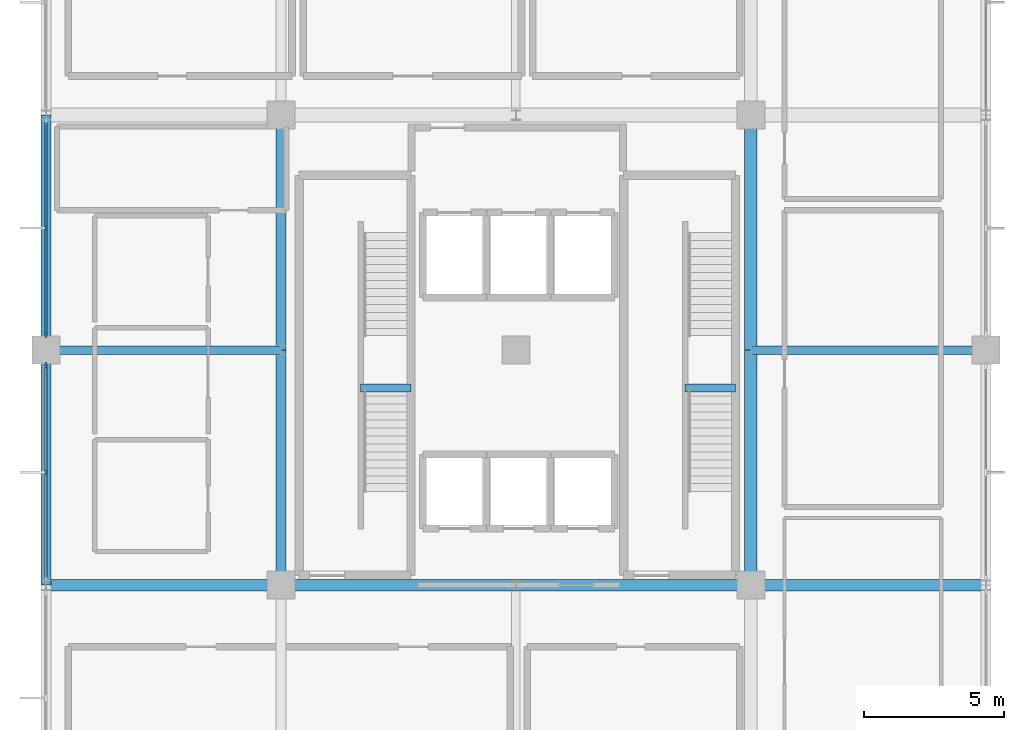
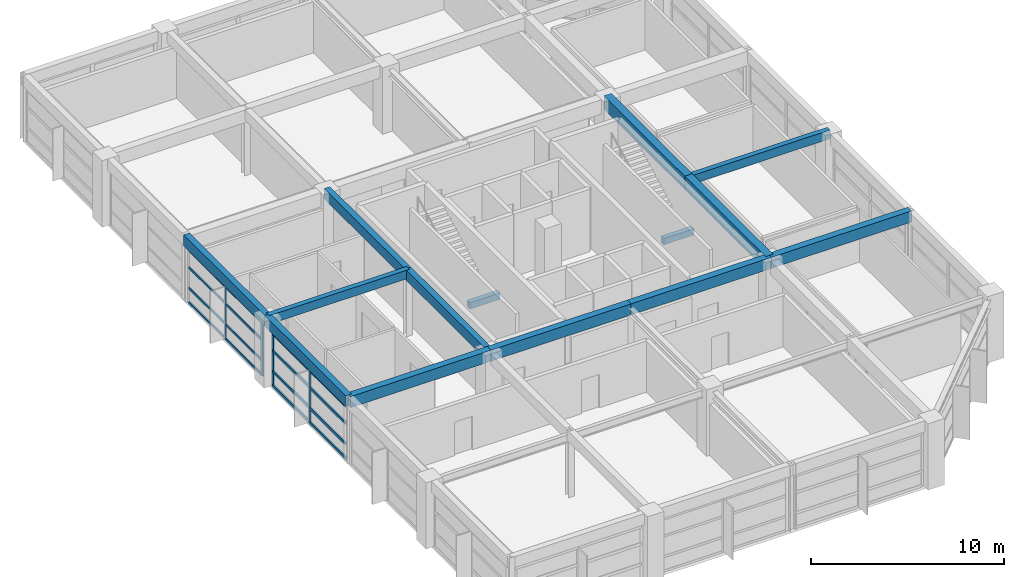
# One storey, part 5 of 16: 20 members, 14 beams, 2 elements without a shape of their own.
"""IFC4 building model written with IfcOpenShell, lengths in metres."""

import ifcopenshell
import ifcopenshell.guid

model = None  # the IFC model being written
_history = None  # IfcOwnerHistory: only IFC2X3 demands one
_inside = {}  # id of a spatial element -> (the spatial element, [elements in it])
_under = {}  # id of a project, library or spatial element -> (it, [spatial elements below it])
_declared = {}  # id of a project -> (the project, [libraries it declares])
_typed = {}  # id of a type object -> (the type object, [elements of that type])
_made_of = {}  # id of a material, layer set ... -> (it, [elements and type objects made of it])


def new_model(schema):
    """Start an empty IFC model of exactly this schema.

    Asked for "IFC4X3", IfcOpenShell would pick the latest addendum, in which some entities
    have other attributes; the version numbers below select the first issue.
    IFC2X3 requires an IfcOwnerHistory on every rooted entity: one is made here for all.
    """
    global model, _history
    if schema == "IFC4X3":
        model = ifcopenshell.file(schema_version=(4, 3, 0, 0))
    else:
        model = ifcopenshell.file(schema=schema)
    _inside.clear()
    _under.clear()
    _declared.clear()
    _typed.clear()
    _made_of.clear()
    _history = None
    if model.schema == "IFC2X3":
        org = make("IfcOrganization", Name="unknown")
        user = make(
            "IfcPersonAndOrganization",
            ThePerson=make("IfcPerson", FamilyName="unknown"),
            TheOrganization=org,
        )
        app = make(
            "IfcApplication",
            ApplicationDeveloper=org,
            Version="unknown",
            ApplicationFullName="unknown",
            ApplicationIdentifier="unknown",
        )
        _history = make(
            "IfcOwnerHistory",
            OwningUser=user,
            OwningApplication=app,
            ChangeAction="ADDED",
            CreationDate=0,
        )
    return model


def make(cls, **values):
    """One entity of the class cls with the attributes given. An attribute that is None is left unset."""
    return model.create_entity(
        cls, **{name: value for name, value in values.items() if value is not None}
    )


def rooted(cls, **values):
    """An entity with a GlobalId (a new one), such as an element, a storey or a relation."""
    return make(cls, GlobalId=ifcopenshell.guid.new(), OwnerHistory=_history, **values)


def si_unit(unit_type, name, prefix=None):
    """IfcSIUnit, for example si_unit("LENGTHUNIT", "METRE", prefix="MILLI")."""
    return make("IfcSIUnit", UnitType=unit_type, Prefix=prefix, Name=name)


def assignment(units):
    """IfcUnitAssignment: the units of a project."""
    return None if units is None else make("IfcUnitAssignment", Units=units)


def point(xyz):
    """IfcCartesianPoint."""
    return None if xyz is None else make("IfcCartesianPoint", Coordinates=xyz)


def direction(xyz):
    """IfcDirection."""
    return None if xyz is None else make("IfcDirection", DirectionRatios=xyz)


def frame(location, z_axis=None, x_axis=None):
    """IfcAxis2Placement3D, a coordinate frame: its origin and axes. An axis left out is left unset."""
    return make(
        "IfcAxis2Placement3D",
        Location=point(location),
        Axis=direction(z_axis),
        RefDirection=direction(x_axis),
    )


def frame_2d(location, x_axis=None):
    """IfcAxis2Placement2D, a coordinate frame in the plane: its origin and x axis."""
    return make(
        "IfcAxis2Placement2D", Location=point(location), RefDirection=direction(x_axis)
    )


def origin():
    """The frame at (0, 0, 0) with its axes left unset."""
    return frame((0.0, 0.0, 0.0))


def origin_2d():
    """The frame at (0, 0) in the plane with its x axis left unset."""
    return frame_2d((0.0, 0.0))


def place(relative_to, where):
    """IfcLocalPlacement: puts the frame where relative to a parent placement (None: the world)."""
    return make(
        "IfcLocalPlacement", PlacementRelTo=relative_to, RelativePlacement=where
    )


def context(
    kind, dimensions, precision=None, world=None, true_north=None, identifier=None
):
    """IfcGeometricRepresentationContext, for example the 3D "Model" context."""
    return make(
        "IfcGeometricRepresentationContext",
        ContextIdentifier=identifier,
        ContextType=kind,
        CoordinateSpaceDimension=dimensions,
        Precision=precision,
        WorldCoordinateSystem=world,
        TrueNorth=true_north,
    )


def subcontext(parent, identifier, kind, view, scale=None):
    """IfcGeometricRepresentationSubContext, for example "Body" below "Model"."""
    return make(
        "IfcGeometricRepresentationSubContext",
        ContextIdentifier=identifier,
        ContextType=kind,
        ParentContext=parent,
        TargetScale=scale,
        TargetView=view,
    )


def project(units=None, contexts=None):
    """IfcProject with its units and contexts."""
    return rooted(
        "IfcProject",
        Name="project",
        RepresentationContexts=contexts,
        UnitsInContext=assignment(units),
    )


def spatial(cls, under=None, at=None, **own):
    """A site, building, storey or space (cls), placed at a placement, below another one or the project."""
    s = rooted(cls, ObjectPlacement=at, **own)
    if under is not None:
        _under.setdefault(under.id(), (under, []))[1].append(s)
    return s


def profile(cls, at=None, kind="AREA", **sizes):
    """A parametric profile (cls). Its sizes go by their IFC names, for example OverallWidth=200.0."""
    return make(cls, ProfileType=kind, Position=at, **sizes)


def rectangle(**sizes):
    """IfcRectangleProfileDef."""
    return profile("IfcRectangleProfileDef", **sizes)


def extrude(swept, where, along, depth):
    """IfcExtrudedAreaSolid: the profile swept, set in the frame where, extruded along a direction by depth."""
    return make(
        "IfcExtrudedAreaSolid",
        SweptArea=swept,
        Position=where,
        ExtrudedDirection=direction(along),
        Depth=depth,
    )


def shape(context_of_items, identifier, shape_type, items):
    """IfcShapeRepresentation: the items that make up one representation, for example the "Body"."""
    return make(
        "IfcShapeRepresentation",
        ContextOfItems=context_of_items,
        RepresentationIdentifier=identifier,
        RepresentationType=shape_type,
        Items=items,
    )


def material(Name=None, Category=None):
    """IfcMaterial."""
    return make("IfcMaterial", Name=Name, Category=Category)


def material_profile(
    of_material, cross_section, Name=None, Category=None, Priority=None
):
    """IfcMaterialProfile: a cross section and its material."""
    return make(
        "IfcMaterialProfile",
        Name=Name,
        Material=of_material,
        Profile=cross_section,
        Priority=Priority,
        Category=Category,
    )


def profile_set(profiles, Name=None, composite=None):
    """IfcMaterialProfileSet."""
    return make(
        "IfcMaterialProfileSet",
        Name=Name,
        MaterialProfiles=profiles,
        CompositeProfile=composite,
    )


def made_of(thing, what):
    """Note that an element or type object is made of a material, layer set ...; save() writes the relation."""
    if what is not None:
        _made_of.setdefault(what.id(), (what, []))[1].append(thing)
    return thing


def type_object(cls, material=None, **own):
    """A type object (cls), such as IfcWallType, which elements share."""
    return made_of(rooted(cls, **own), material)


def element(
    cls,
    number,
    at=None,
    inside=None,
    cuts=None,
    type_object=None,
    material=None,
    context=None,
    identifier="Body",
    shape_type=None,
    held_by="IfcProductDefinitionShape",
    body=None,
    shapes=None,
    **own,
):
    """One element of the class cls, such as IfcWall. Its Tag is "e" and its number.

    at: its placement. inside: the storey or other place that contains it. cuts: it is an
    opening in that element (IfcRelVoidsElement). A single representation is given by context,
    identifier, shape_type and body (its items); several are given by shapes. held_by: the class
    of the entity that holds the representations. save() writes the other relations.
    """
    e = rooted(cls, Tag="e%d" % number, ObjectPlacement=at, **own)
    if body is not None:
        shapes = [shape(context, identifier, shape_type, body)]
    if shapes is not None:
        e.Representation = make(held_by, Representations=shapes)
    if inside is not None:
        _inside.setdefault(inside.id(), (inside, []))[1].append(e)
    if cuts is not None:
        rooted(
            "IfcRelVoidsElement", RelatingBuildingElement=cuts, RelatedOpeningElement=e
        )
    if type_object is not None:
        _typed.setdefault(type_object.id(), (type_object, []))[1].append(e)
    return made_of(e, material)


def aggregate(whole, parts):
    """IfcRelAggregates: a whole, such as a stair, and the parts it consists of."""
    return rooted("IfcRelAggregates", RelatingObject=whole, RelatedObjects=parts)


def save(model, path):
    """Write the relations noted so far, then the file.

    IfcRelAggregates (storeys below a building ...), IfcRelContainedInSpatialStructure (elements
    in a storey), IfcRelDefinesByType, IfcRelAssociatesMaterial and IfcRelDeclares: one each for
    every whole, place, type object, material and project.
    """
    for whole, parts in _under.values():
        aggregate(whole, parts)
    for where, things in _inside.values():
        rooted(
            "IfcRelContainedInSpatialStructure",
            RelatedElements=things,
            RelatingStructure=where,
        )
    for kind, things in _typed.values():
        rooted("IfcRelDefinesByType", RelatedObjects=things, RelatingType=kind)
    for what, things in _made_of.values():
        rooted("IfcRelAssociatesMaterial", RelatedObjects=things, RelatingMaterial=what)
    for by, libraries in _declared.values():
        rooted("IfcRelDeclares", RelatingContext=by, RelatedDefinitions=libraries)
    model.write(path)


model = new_model("IFC4")

# Units and contexts
model_context = context("Model", 3, precision=1e-05, world=origin(), true_north=direction((0.0, 1.0)))
body_context = subcontext(model_context, "Body", "Model", "MODEL_VIEW")
ifc_project = project(units=[si_unit("LENGTHUNIT", "METRE"), si_unit("AREAUNIT", "SQUARE_METRE"), si_unit("VOLUMEUNIT", "CUBIC_METRE"), si_unit("PLANEANGLEUNIT", "RADIAN"), si_unit("MASSUNIT", "GRAM", prefix="KILO")], contexts=[model_context])

# Site, building, storey
site_placement = place(None, origin())
site = spatial("IfcSite", under=ifc_project, at=site_placement, CompositionType="ELEMENT")
building_placement = place(site_placement, origin())
building = spatial("IfcBuilding", under=site, at=building_placement, Name="Xuanlan Plaza Opera House", CompositionType="ELEMENT")
storey_placement = place(building_placement, frame((0.0, 0.0, 48.89990234375)))
storey = spatial("IfcBuildingStorey", under=building, at=storey_placement, Name="L11", CompositionType="ELEMENT", Elevation=48.89990234375)

# Curtain wall, members
ifc_material_1 = material(Name="Anodised Aluminium 6063-T6 and Low-E Glass", Category="aluminium")
curtain_wall_type_1 = type_object("IfcCurtainWallType", Name="ENV-CW-CW-04", PredefinedType="USERDEFINED", material=ifc_material_1)
curtain_wall_1_placement = place(storey_placement, origin())
curtain_wall_1 = element("IfcCurtainWall", 1, at=curtain_wall_1_placement, inside=storey, type_object=curtain_wall_type_1, Name="Unitised Curtain Wall L11-015", ObjectType="UNITISED CURTAIN WALL", PredefinedType="USERDEFINED")
ifc_material_2 = material(Name="Anodised Aluminium 6063-T6", Category="aluminium")
ifc_material_profile_1 = material_profile(ifc_material_2, rectangle(XDim=0.074951171875, YDim=0.199951171875, at=origin_2d()), Name="ALU-M 75x200")
ifc_profile_set_1 = profile_set([ifc_material_profile_1], Name="Anodised Aluminium 6063-T6")
member_type_1 = type_object("IfcMemberType", Name="ENV-CWM-03", PredefinedType="MULLION", material=ifc_profile_set_1)
member_1_placement = place(storey_placement, frame((126.0, 63.16259765625, 0.0), z_axis=(0.0, 0.0, 1.0), x_axis=(1.0, 0.0, 0.0)))
member_1 = element("IfcMember", 2, at=member_1_placement, type_object=member_type_1, Name="CW-04 mullion 2", PredefinedType="MULLION", context=body_context, shape_type="SweptSolid", body=[
    extrude(rectangle(XDim=0.074951171875, YDim=0.199951171875, at=origin_2d()), origin(), (0.0, 0.0, 1.0), 3.380126953125),
])
member_2_placement = place(storey_placement, frame((126.0, 59.357421875, 0.0), z_axis=(0.0, 0.0, 1.0), x_axis=(1.0, 0.0, 0.0)))
member_2 = element("IfcMember", 3, at=member_2_placement, type_object=member_type_1, Name="CW-04 mullion 3", PredefinedType="MULLION", context=body_context, shape_type="SweptSolid", body=[
    extrude(rectangle(XDim=0.074951171875, YDim=0.199951171875, at=origin_2d()), origin(), (0.0, 0.0, 1.0), 3.380126953125),
])

curtain_wall_type_2 = type_object("IfcCurtainWallType", Name="ENV-CW-CW-01", PredefinedType="USERDEFINED", material=ifc_material_1)
curtain_wall_2_placement = place(storey_placement, origin())
curtain_wall_2 = element("IfcCurtainWall", 4, at=curtain_wall_2_placement, inside=storey, type_object=curtain_wall_type_2, Name="Unitised Curtain Wall L11-016", ObjectType="UNITISED CURTAIN WALL", PredefinedType="USERDEFINED")
ifc_material_profile_2 = material_profile(ifc_material_2, rectangle(XDim=0.080078125, YDim=0.219970703125, at=origin_2d()), Name="ALU-M 80x220")
ifc_profile_set_2 = profile_set([ifc_material_profile_2], Name="Anodised Aluminium 6063-T6")
member_type_2 = type_object("IfcMemberType", Name="ENV-CWM-04", PredefinedType="MULLION", material=ifc_profile_set_2)
member_3_placement = place(storey_placement, frame((126.0, 58.239990234375, 0.0), z_axis=(0.0, 0.0, 1.0), x_axis=(1.0, 0.0, 0.0)))
member_3 = element("IfcMember", 5, at=member_3_placement, type_object=member_type_2, Name="CW-01 mullion 1", PredefinedType="MULLION", context=body_context, shape_type="SweptSolid", body=[
    extrude(rectangle(XDim=0.080078125, YDim=0.219970703125, at=origin_2d()), origin(), (0.0, 0.0, 1.0), 3.380126953125),
])
member_4_placement = place(storey_placement, frame((126.0, 54.4375, 0.0), z_axis=(0.0, 0.0, 1.0), x_axis=(1.0, 0.0, 0.0)))
member_4 = element("IfcMember", 6, at=member_4_placement, type_object=member_type_2, Name="CW-01 mullion 2", PredefinedType="MULLION", context=body_context, shape_type="SweptSolid", body=[
    extrude(rectangle(XDim=0.080078125, YDim=0.219970703125, at=origin_2d()), origin(), (0.0, 0.0, 1.0), 3.380126953125),
])

# Member
ifc_material_profile_3 = material_profile(ifc_material_2, rectangle(XDim=0.074951171875, YDim=0.14990234375, at=origin_2d()), Name="ALU-T 75x150")
ifc_profile_set_3 = profile_set([ifc_material_profile_3], Name="Anodised Aluminium 6063-T6")
member_type_3 = type_object("IfcMemberType", Name="ENV-CWT-03", PredefinedType="USERDEFINED", material=ifc_profile_set_3)
member_5_placement = place(storey_placement, frame((126.0, 66.929931640625, 0.03759765625), z_axis=(0.0, -1.0, 0.0), x_axis=(1.0, 0.0, 0.0)))
member_5 = element("IfcMember", 7, at=member_5_placement, type_object=member_type_3, Name="CW-04 transom 1.1", ObjectType="TRANSOM", PredefinedType="USERDEFINED", context=body_context, shape_type="SweptSolid", body=[
    extrude(rectangle(XDim=0.074951171875, YDim=0.14990234375, at=origin_2d()), origin(), (0.0, 0.0, 1.0), 3.72998046875),
])

member_6_placement = place(storey_placement, frame((126.0, 66.929931640625, 0.9501953125), z_axis=(0.0, -1.0, 0.0), x_axis=(1.0, 0.0, 0.0)))
member_6 = element("IfcMember", 8, at=member_6_placement, type_object=member_type_3, Name="CW-04 transom 1.2", ObjectType="TRANSOM", PredefinedType="USERDEFINED", context=body_context, shape_type="SweptSolid", body=[
    extrude(rectangle(XDim=0.074951171875, YDim=0.14990234375, at=origin_2d()), origin(), (0.0, 0.0, 1.0), 3.72998046875),
])

member_7_placement = place(storey_placement, frame((126.0, 66.929931640625, 2.25), z_axis=(0.0, -1.0, 0.0), x_axis=(1.0, 0.0, 0.0)))
member_7 = element("IfcMember", 9, at=member_7_placement, type_object=member_type_3, Name="CW-04 transom 1.3", ObjectType="TRANSOM", PredefinedType="USERDEFINED", context=body_context, shape_type="SweptSolid", body=[
    extrude(rectangle(XDim=0.074951171875, YDim=0.14990234375, at=origin_2d()), origin(), (0.0, 0.0, 1.0), 3.72998046875),
])

member_8_placement = place(storey_placement, frame((126.0, 66.929931640625, 3.342529296875), z_axis=(0.0, -1.0, 0.0), x_axis=(1.0, 0.0, 0.0)))
member_8 = element("IfcMember", 10, at=member_8_placement, type_object=member_type_3, Name="CW-04 transom 1.4", ObjectType="TRANSOM", PredefinedType="USERDEFINED", context=body_context, shape_type="SweptSolid", body=[
    extrude(rectangle(XDim=0.074951171875, YDim=0.14990234375, at=origin_2d()), origin(), (0.0, 0.0, 1.0), 3.72998046875),
])

member_9_placement = place(storey_placement, frame((126.0, 63.125, 0.03759765625), z_axis=(0.0, -1.0, 0.0), x_axis=(1.0, 0.0, 0.0)))
member_9 = element("IfcMember", 11, at=member_9_placement, type_object=member_type_3, Name="CW-04 transom 2.1", ObjectType="TRANSOM", PredefinedType="USERDEFINED", context=body_context, shape_type="SweptSolid", body=[
    extrude(rectangle(XDim=0.074951171875, YDim=0.14990234375, at=origin_2d()), origin(), (0.0, 0.0, 1.0), 3.72998046875),
])

member_10_placement = place(storey_placement, frame((126.0, 63.125, 0.9501953125), z_axis=(0.0, -1.0, 0.0), x_axis=(1.0, 0.0, 0.0)))
member_10 = element("IfcMember", 12, at=member_10_placement, type_object=member_type_3, Name="CW-04 transom 2.2", ObjectType="TRANSOM", PredefinedType="USERDEFINED", context=body_context, shape_type="SweptSolid", body=[
    extrude(rectangle(XDim=0.074951171875, YDim=0.14990234375, at=origin_2d()), origin(), (0.0, 0.0, 1.0), 3.72998046875),
])

member_11_placement = place(storey_placement, frame((126.0, 63.125, 2.25), z_axis=(0.0, -1.0, 0.0), x_axis=(1.0, 0.0, 0.0)))
member_11 = element("IfcMember", 13, at=member_11_placement, type_object=member_type_3, Name="CW-04 transom 2.3", ObjectType="TRANSOM", PredefinedType="USERDEFINED", context=body_context, shape_type="SweptSolid", body=[
    extrude(rectangle(XDim=0.074951171875, YDim=0.14990234375, at=origin_2d()), origin(), (0.0, 0.0, 1.0), 3.72998046875),
])

member_12_placement = place(storey_placement, frame((126.0, 63.125, 3.342529296875), z_axis=(0.0, -1.0, 0.0), x_axis=(1.0, 0.0, 0.0)))
member_12 = element("IfcMember", 14, at=member_12_placement, type_object=member_type_3, Name="CW-04 transom 2.4", ObjectType="TRANSOM", PredefinedType="USERDEFINED", context=body_context, shape_type="SweptSolid", body=[
    extrude(rectangle(XDim=0.074951171875, YDim=0.14990234375, at=origin_2d()), origin(), (0.0, 0.0, 1.0), 3.72998046875),
])

aggregate(curtain_wall_1, [member_1, member_2, member_5, member_6, member_7, member_8, member_9, member_10, member_11, member_12])

ifc_material_profile_4 = material_profile(ifc_material_2, rectangle(XDim=0.090087890625, YDim=0.179931640625, at=origin_2d()), Name="ALU-T 90x180")
ifc_profile_set_4 = profile_set([ifc_material_profile_4], Name="Anodised Aluminium 6063-T6")
member_type_4 = type_object("IfcMemberType", Name="ENV-CWT-05", PredefinedType="USERDEFINED", material=ifc_profile_set_4)
member_13_placement = place(storey_placement, frame((126.0, 58.199951171875, 0.045166015625), z_axis=(0.0, -1.0, 0.0), x_axis=(1.0, 0.0, 0.0)))
member_13 = element("IfcMember", 15, at=member_13_placement, type_object=member_type_4, Name="CW-01 transom 1.1", ObjectType="TRANSOM", PredefinedType="USERDEFINED", context=body_context, shape_type="SweptSolid", body=[
    extrude(rectangle(XDim=0.090087890625, YDim=0.179931640625, at=origin_2d()), origin(), (0.0, 0.0, 1.0), 3.722412109375),
])

member_14_placement = place(storey_placement, frame((126.0, 58.199951171875, 0.9501953125), z_axis=(0.0, -1.0, 0.0), x_axis=(1.0, 0.0, 0.0)))
member_14 = element("IfcMember", 16, at=member_14_placement, type_object=member_type_4, Name="CW-01 transom 1.2", ObjectType="TRANSOM", PredefinedType="USERDEFINED", context=body_context, shape_type="SweptSolid", body=[
    extrude(rectangle(XDim=0.090087890625, YDim=0.179931640625, at=origin_2d()), origin(), (0.0, 0.0, 1.0), 3.722412109375),
])

member_15_placement = place(storey_placement, frame((126.0, 58.199951171875, 2.25), z_axis=(0.0, -1.0, 0.0), x_axis=(1.0, 0.0, 0.0)))
member_15 = element("IfcMember", 17, at=member_15_placement, type_object=member_type_4, Name="CW-01 transom 1.3", ObjectType="TRANSOM", PredefinedType="USERDEFINED", context=body_context, shape_type="SweptSolid", body=[
    extrude(rectangle(XDim=0.090087890625, YDim=0.179931640625, at=origin_2d()), origin(), (0.0, 0.0, 1.0), 3.722412109375),
])

member_16_placement = place(storey_placement, frame((126.0, 58.199951171875, 3.335205078125), z_axis=(0.0, -1.0, 0.0), x_axis=(1.0, 0.0, 0.0)))
member_16 = element("IfcMember", 18, at=member_16_placement, type_object=member_type_4, Name="CW-01 transom 1.4", ObjectType="TRANSOM", PredefinedType="USERDEFINED", context=body_context, shape_type="SweptSolid", body=[
    extrude(rectangle(XDim=0.090087890625, YDim=0.179931640625, at=origin_2d()), origin(), (0.0, 0.0, 1.0), 3.722412109375),
])

member_17_placement = place(storey_placement, frame((126.0, 54.3974609375, 0.045166015625), z_axis=(0.0, -1.0, 0.0), x_axis=(1.0, 0.0, 0.0)))
member_17 = element("IfcMember", 19, at=member_17_placement, type_object=member_type_4, Name="CW-01 transom 2.1", ObjectType="TRANSOM", PredefinedType="USERDEFINED", context=body_context, shape_type="SweptSolid", body=[
    extrude(rectangle(XDim=0.090087890625, YDim=0.179931640625, at=origin_2d()), origin(), (0.0, 0.0, 1.0), 3.722412109375),
])

member_18_placement = place(storey_placement, frame((126.0, 54.3974609375, 0.9501953125), z_axis=(0.0, -1.0, 0.0), x_axis=(1.0, 0.0, 0.0)))
member_18 = element("IfcMember", 20, at=member_18_placement, type_object=member_type_4, Name="CW-01 transom 2.2", ObjectType="TRANSOM", PredefinedType="USERDEFINED", context=body_context, shape_type="SweptSolid", body=[
    extrude(rectangle(XDim=0.090087890625, YDim=0.179931640625, at=origin_2d()), origin(), (0.0, 0.0, 1.0), 3.722412109375),
])

member_19_placement = place(storey_placement, frame((126.0, 54.3974609375, 2.25), z_axis=(0.0, -1.0, 0.0), x_axis=(1.0, 0.0, 0.0)))
member_19 = element("IfcMember", 21, at=member_19_placement, type_object=member_type_4, Name="CW-01 transom 2.3", ObjectType="TRANSOM", PredefinedType="USERDEFINED", context=body_context, shape_type="SweptSolid", body=[
    extrude(rectangle(XDim=0.090087890625, YDim=0.179931640625, at=origin_2d()), origin(), (0.0, 0.0, 1.0), 3.722412109375),
])

member_20_placement = place(storey_placement, frame((126.0, 54.3974609375, 3.335205078125), z_axis=(0.0, -1.0, 0.0), x_axis=(1.0, 0.0, 0.0)))
member_20 = element("IfcMember", 22, at=member_20_placement, type_object=member_type_4, Name="CW-01 transom 2.4", ObjectType="TRANSOM", PredefinedType="USERDEFINED", context=body_context, shape_type="SweptSolid", body=[
    extrude(rectangle(XDim=0.090087890625, YDim=0.179931640625, at=origin_2d()), origin(), (0.0, 0.0, 1.0), 3.722412109375),
])

aggregate(curtain_wall_2, [member_3, member_4, member_13, member_14, member_15, member_16, member_17, member_18, member_19, member_20])

# Beams
ifc_material_3 = material(Name="Concrete C40", Category="concrete")
ifc_material_profile_5 = material_profile(ifc_material_3, rectangle(XDim=0.449951171875, YDim=0.85009765625, at=origin_2d()), Name="RC-BM 450x850")
ifc_profile_set_5 = profile_set([ifc_material_profile_5], Name="Concrete C40")
beam_type_1 = type_object("IfcBeamType", Name="STR-BM-B-04", PredefinedType="BEAM", material=ifc_profile_set_5)
beam_1_placement = place(storey_placement, frame((151.199951171875, 50.39990234375, 3.775146484375), z_axis=(0.0, 1.0, 0.0), x_axis=(-1.0, 0.0, 0.0)))
element("IfcBeam", 23, at=beam_1_placement, inside=storey, type_object=beam_type_1, Name="Grid Beam Y L11 19/G-H", PredefinedType="BEAM", context=body_context, shape_type="SweptSolid", body=[
    extrude(rectangle(XDim=0.449951171875, YDim=0.85009765625, at=origin_2d()), origin(), (0.0, 0.0, 1.0), 8.400146484375),
])
beam_2_placement = place(storey_placement, frame((151.199951171875, 58.800048828125, 3.775146484375), z_axis=(0.0, 1.0, 0.0), x_axis=(-1.0, 0.0, 0.0)))
element("IfcBeam", 24, at=beam_2_placement, inside=storey, type_object=beam_type_1, Name="Grid Beam Y L11 19/H-I", PredefinedType="BEAM", context=body_context, shape_type="SweptSolid", body=[
    extrude(rectangle(XDim=0.449951171875, YDim=0.85009765625, at=origin_2d()), origin(), (0.0, 0.0, 1.0), 8.39990234375),
])
ifc_material_profile_6 = material_profile(ifc_material_3, rectangle(XDim=0.39990234375, YDim=0.699951171875, at=origin_2d()), Name="RC-BM 400x700")
ifc_profile_set_6 = profile_set([ifc_material_profile_6], Name="Concrete C40")
beam_type_2 = type_object("IfcBeamType", Name="STR-BM-B-07", PredefinedType="BEAM", material=ifc_profile_set_6)
beam_3_placement = place(storey_placement, frame((126.0, 50.39990234375, 3.85009765625), z_axis=(1.0, 0.0, 0.0), x_axis=(0.0, 1.0, 0.0)))
element("IfcBeam", 25, at=beam_3_placement, inside=storey, type_object=beam_type_2, Name="Grid Beam X L11 16-17/G", PredefinedType="BEAM", context=body_context, shape_type="SweptSolid", body=[
    extrude(rectangle(XDim=0.39990234375, YDim=0.699951171875, at=origin_2d()), origin(), (0.0, 0.0, 1.0), 8.39990234375),
])
beam_4_placement = place(storey_placement, frame((134.39990234375, 50.39990234375, 3.85009765625), z_axis=(1.0, 0.0, 0.0), x_axis=(0.0, 1.0, 0.0)))
element("IfcBeam", 26, at=beam_4_placement, inside=storey, type_object=beam_type_2, Name="Grid Beam X L11 17-18/G", PredefinedType="BEAM", context=body_context, shape_type="SweptSolid", body=[
    extrude(rectangle(XDim=0.39990234375, YDim=0.699951171875, at=origin_2d()), origin(), (0.0, 0.0, 1.0), 8.400146484375),
])
beam_5_placement = place(storey_placement, frame((142.800048828125, 50.39990234375, 3.85009765625), z_axis=(1.0, 0.0, 0.0), x_axis=(0.0, 1.0, 0.0)))
element("IfcBeam", 27, at=beam_5_placement, inside=storey, type_object=beam_type_2, Name="Grid Beam X L11 18-19/G", PredefinedType="BEAM", context=body_context, shape_type="SweptSolid", body=[
    extrude(rectangle(XDim=0.39990234375, YDim=0.699951171875, at=origin_2d()), origin(), (0.0, 0.0, 1.0), 8.39990234375),
])
beam_6_placement = place(storey_placement, frame((151.199951171875, 50.39990234375, 3.85009765625), z_axis=(1.0, 0.0, 0.0), x_axis=(0.0, 1.0, 0.0)))
element("IfcBeam", 28, at=beam_6_placement, inside=storey, type_object=beam_type_2, Name="Grid Beam X L11 19-20/G", PredefinedType="BEAM", context=body_context, shape_type="SweptSolid", body=[
    extrude(rectangle(XDim=0.39990234375, YDim=0.699951171875, at=origin_2d()), origin(), (0.0, 0.0, 1.0), 8.400146484375),
])
ifc_material_profile_7 = material_profile(ifc_material_3, rectangle(XDim=0.35009765625, YDim=0.64990234375, at=origin_2d()), Name="RC-BM 350x650")
ifc_profile_set_7 = profile_set([ifc_material_profile_7], Name="Concrete C40")
beam_type_3 = type_object("IfcBeamType", Name="STR-BM-B-08", PredefinedType="BEAM", material=ifc_profile_set_7)
beam_7_placement = place(storey_placement, frame((134.39990234375, 50.39990234375, 3.875), z_axis=(0.0, 1.0, 0.0), x_axis=(-1.0, 0.0, 0.0)))
element("IfcBeam", 29, at=beam_7_placement, inside=storey, type_object=beam_type_3, Name="Grid Beam Y L11 17/G-H", PredefinedType="BEAM", context=body_context, shape_type="SweptSolid", body=[
    extrude(rectangle(XDim=0.35009765625, YDim=0.64990234375, at=origin_2d()), origin(), (0.0, 0.0, 1.0), 8.400146484375),
])
beam_8_placement = place(storey_placement, frame((134.39990234375, 58.800048828125, 3.875), z_axis=(0.0, 1.0, 0.0), x_axis=(-1.0, 0.0, 0.0)))
element("IfcBeam", 30, at=beam_8_placement, inside=storey, type_object=beam_type_3, Name="Grid Beam Y L11 17/H-I", PredefinedType="BEAM", context=body_context, shape_type="SweptSolid", body=[
    extrude(rectangle(XDim=0.35009765625, YDim=0.64990234375, at=origin_2d()), origin(), (0.0, 0.0, 1.0), 8.39990234375),
])
ifc_material_profile_8 = material_profile(ifc_material_3, rectangle(XDim=0.300048828125, YDim=0.550048828125, at=origin_2d()), Name="RC-BM 300x550")
ifc_profile_set_8 = profile_set([ifc_material_profile_8], Name="Concrete C40")
beam_type_4 = type_object("IfcBeamType", Name="STR-BM-B-09", PredefinedType="BEAM", material=ifc_profile_set_8)
beam_9_placement = place(storey_placement, frame((126.0, 58.800048828125, 3.925048828125), z_axis=(1.0, 0.0, 0.0), x_axis=(0.0, 1.0, 0.0)))
element("IfcBeam", 31, at=beam_9_placement, inside=storey, type_object=beam_type_4, Name="Grid Beam X L11 16-17/H", PredefinedType="BEAM", context=body_context, shape_type="SweptSolid", body=[
    extrude(rectangle(XDim=0.300048828125, YDim=0.550048828125, at=origin_2d()), origin(), (0.0, 0.0, 1.0), 8.39990234375),
])
beam_10_placement = place(storey_placement, frame((151.199951171875, 58.800048828125, 3.925048828125), z_axis=(1.0, 0.0, 0.0), x_axis=(0.0, 1.0, 0.0)))
element("IfcBeam", 32, at=beam_10_placement, inside=storey, type_object=beam_type_4, Name="Grid Beam X L11 19-20/H", PredefinedType="BEAM", context=body_context, shape_type="SweptSolid", body=[
    extrude(rectangle(XDim=0.300048828125, YDim=0.550048828125, at=origin_2d()), origin(), (0.0, 0.0, 1.0), 8.400146484375),
])
ifc_material_profile_9 = material_profile(ifc_material_3, rectangle(XDim=0.300048828125, YDim=0.39990234375, at=origin_2d()), Name="RC-LNT 300x400")
ifc_profile_set_9 = profile_set([ifc_material_profile_9], Name="Concrete C40")
beam_type_5 = type_object("IfcBeamType", Name="STR-BM-LN-01", PredefinedType="LINTEL", material=ifc_profile_set_9)
beam_11_placement = place(storey_placement, frame((137.25, 57.445068359375, 1.7001953125), z_axis=(1.0, 0.0, 0.0), x_axis=(0.0, 1.0, 0.0)))
element("IfcBeam", 33, at=beam_11_placement, inside=storey, type_object=beam_type_5, Name="Stair Mid-Landing Trimmer Beam ST-T1 L11", PredefinedType="LINTEL", context=body_context, shape_type="SweptSolid", body=[
    extrude(rectangle(XDim=0.300048828125, YDim=0.39990234375, at=origin_2d()), origin(), (0.0, 0.0, 1.0), 1.800048828125),
])
beam_12_placement = place(storey_placement, frame((148.85009765625, 57.445068359375, 1.7001953125), z_axis=(1.0, 0.0, 0.0), x_axis=(0.0, 1.0, 0.0)))
element("IfcBeam", 34, at=beam_12_placement, inside=storey, type_object=beam_type_5, Name="Stair Mid-Landing Trimmer Beam ST-T2 L11", PredefinedType="LINTEL", context=body_context, shape_type="SweptSolid", body=[
    extrude(rectangle(XDim=0.300048828125, YDim=0.39990234375, at=origin_2d()), origin(), (0.0, 0.0, 1.0), 1.7998046875),
])
ifc_material_profile_10 = material_profile(ifc_material_3, rectangle(XDim=0.35009765625, YDim=0.699951171875, at=origin_2d()), Name="RC-SPD 350x700")
ifc_profile_set_10 = profile_set([ifc_material_profile_10], Name="Concrete C40")
beam_type_6 = type_object("IfcBeamType", Name="STR-BM-SP-02", PredefinedType="SPANDREL", material=ifc_profile_set_10)
beam_13_placement = place(storey_placement, frame((126.0, 50.39990234375, 3.85009765625), z_axis=(0.0, 1.0, 0.0), x_axis=(-1.0, 0.0, 0.0)))
element("IfcBeam", 35, at=beam_13_placement, inside=storey, type_object=beam_type_6, Name="Grid Beam Y L11 16/G-H", PredefinedType="SPANDREL", context=body_context, shape_type="SweptSolid", body=[
    extrude(rectangle(XDim=0.35009765625, YDim=0.699951171875, at=origin_2d()), origin(), (0.0, 0.0, 1.0), 8.400146484375),
])
beam_14_placement = place(storey_placement, frame((126.0, 58.800048828125, 3.85009765625), z_axis=(0.0, 1.0, 0.0), x_axis=(-1.0, 0.0, 0.0)))
element("IfcBeam", 36, at=beam_14_placement, inside=storey, type_object=beam_type_6, Name="Grid Beam Y L11 16/H-I", PredefinedType="SPANDREL", context=body_context, shape_type="SweptSolid", body=[
    extrude(rectangle(XDim=0.35009765625, YDim=0.699951171875, at=origin_2d()), origin(), (0.0, 0.0, 1.0), 8.39990234375),
])

save(model, "model.ifc")
